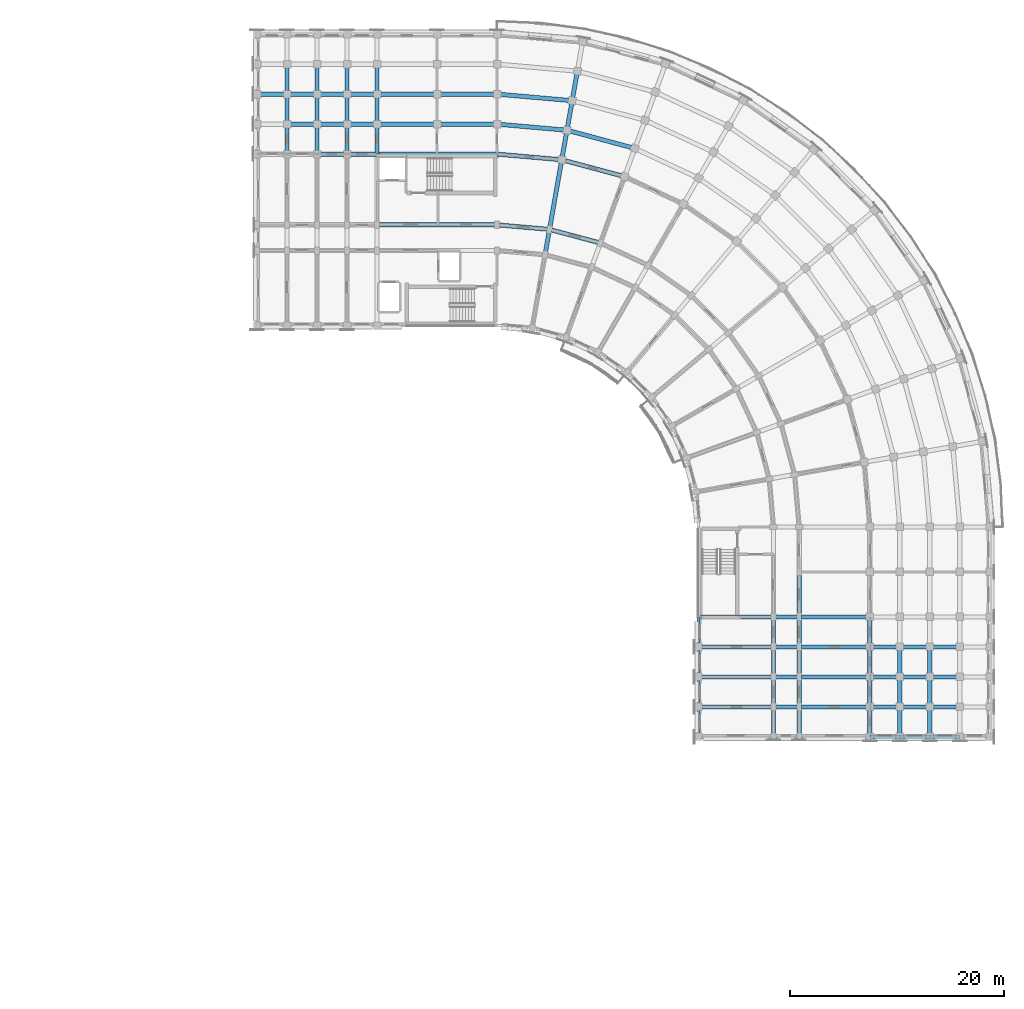
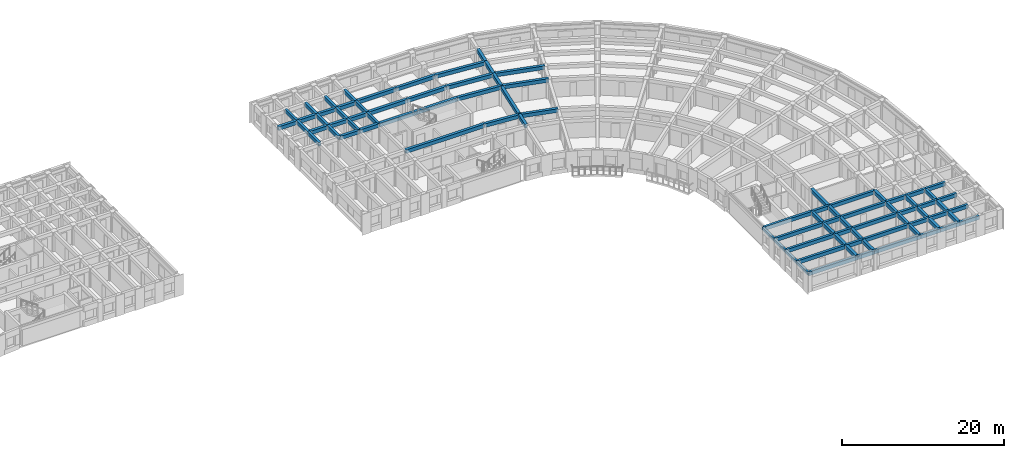
# One storey, part 11 of 57: 89 beams.
"""IFC4 building model written with IfcOpenShell, lengths in metres."""

from ifc_helpers import new_model, si_unit, direction, frame, origin, origin_2d, place, context, subcontext, project, spatial, rectangle, extrude, material, material_profile, profile_set, type_object, element, save


model = new_model("IFC4")

# Units and contexts
model_context = context("Model", 3, precision=1e-05, world=origin(), true_north=direction((0.0, 1.0)))
body_context = subcontext(model_context, "Body", "Model", "MODEL_VIEW")
ifc_project = project(units=[si_unit("LENGTHUNIT", "METRE"), si_unit("AREAUNIT", "SQUARE_METRE"), si_unit("VOLUMEUNIT", "CUBIC_METRE"), si_unit("PLANEANGLEUNIT", "RADIAN"), si_unit("MASSUNIT", "GRAM", prefix="KILO")], contexts=[model_context])

# Site, building, storey
site_placement = place(None, origin())
site = spatial("IfcSite", under=ifc_project, at=site_placement, CompositionType="ELEMENT")
building_placement = place(site_placement, origin())
building = spatial("IfcBuilding", under=site, at=building_placement, Name="Kiranvali Square Residences", CompositionType="ELEMENT")
storey_placement = place(building_placement, frame((0.0, 0.0, 18.14990234375)))
storey = spatial("IfcBuildingStorey", under=building, at=storey_placement, Name="L05", CompositionType="ELEMENT", Elevation=18.14990234375)

# Beams
ifc_material_1 = material(Name="Concrete M40 (40 MPa)", Category="concrete")
ifc_material_profile_1 = material_profile(ifc_material_1, rectangle(XDim=0.35009765625, YDim=0.550048828125, at=origin_2d()), Name="RC 350x550")
ifc_profile_set_1 = profile_set([ifc_material_profile_1], Name="Concrete M40 (40 MPa)")
beam_type_1 = type_object("IfcBeamType", Name="BM-M40-350x550", PredefinedType="BEAM", material=ifc_profile_set_1)
beam_1_placement = place(storey_placement, frame((108.60009765625, 122.60009765625, 2.655029296875), z_axis=(0.0, 1.0, 0.0), x_axis=(-1.0, 0.0, 0.0)))
element("IfcBeam", 1, at=beam_1_placement, inside=storey, type_object=beam_type_1, Name="L05 beam BM-B-L05-A1T1-34", PredefinedType="BEAM", context=body_context, shape_type="SweptSolid", body=[
    extrude(rectangle(XDim=0.35009765625, YDim=0.550048828125, at=origin_2d()), origin(), (0.0, 0.0, 1.0), 2.7998046875),
])
for number, where, z_axis, x_axis, name in (
    (2, (108.60009765625, 125.39990234375, 2.655029296875), (0.0, 1.0, 0.0), (-1.0, 0.0, 0.0), "L05 beam BM-B-L05-A1T1-45"),
    (3, (108.60009765625, 128.199951171875, 2.655029296875), (0.0, 1.0, 0.0), (-1.0, 0.0, 0.0), "L05 beam BM-B-L05-A1T1-56"),
):
    element("IfcBeam", number, at=place(storey_placement, frame(where, z_axis=z_axis, x_axis=x_axis)), inside=storey, type_object=beam_type_1, Name=name, PredefinedType="BEAM", context=body_context, shape_type="SweptSolid", body=[
        extrude(rectangle(XDim=0.35009765625, YDim=0.550048828125, at=origin_2d()), origin(), (0.0, 0.0, 1.0), 2.800048828125),
    ])
beam_2_placement = place(storey_placement, frame((105.800048828125, 122.60009765625, 2.655029296875), z_axis=(0.0, 1.0, 0.0), x_axis=(-1.0, 0.0, 0.0)))
element("IfcBeam", 4, at=beam_2_placement, inside=storey, type_object=beam_type_1, Name="L05 beam BM-B-L05-A1T2-34", PredefinedType="BEAM", context=body_context, shape_type="SweptSolid", body=[
    extrude(rectangle(XDim=0.35009765625, YDim=0.550048828125, at=origin_2d()), origin(), (0.0, 0.0, 1.0), 2.7998046875),
])
for number, where, z_axis, x_axis, name in (
    (5, (105.800048828125, 125.39990234375, 2.655029296875), (0.0, 1.0, 0.0), (-1.0, 0.0, 0.0), "L05 beam BM-B-L05-A1T2-45"),
    (6, (105.800048828125, 128.199951171875, 2.655029296875), (0.0, 1.0, 0.0), (-1.0, 0.0, 0.0), "L05 beam BM-B-L05-A1T2-56"),
):
    element("IfcBeam", number, at=place(storey_placement, frame(where, z_axis=z_axis, x_axis=x_axis)), inside=storey, type_object=beam_type_1, Name=name, PredefinedType="BEAM", context=body_context, shape_type="SweptSolid", body=[
        extrude(rectangle(XDim=0.35009765625, YDim=0.550048828125, at=origin_2d()), origin(), (0.0, 0.0, 1.0), 2.800048828125),
    ])
beam_3_placement = place(storey_placement, frame((103.0, 122.60009765625, 2.655029296875), z_axis=(0.0, 1.0, 0.0), x_axis=(-1.0, 0.0, 0.0)))
element("IfcBeam", 7, at=beam_3_placement, inside=storey, type_object=beam_type_1, Name="L05 beam BM-B-L05-A1T3-34", PredefinedType="BEAM", context=body_context, shape_type="SweptSolid", body=[
    extrude(rectangle(XDim=0.35009765625, YDim=0.550048828125, at=origin_2d()), origin(), (0.0, 0.0, 1.0), 2.7998046875),
])
for number, where, z_axis, x_axis, name in (
    (8, (103.0, 125.39990234375, 2.655029296875), (0.0, 1.0, 0.0), (-1.0, 0.0, 0.0), "L05 beam BM-B-L05-A1T3-45"),
    (9, (103.0, 128.199951171875, 2.655029296875), (0.0, 1.0, 0.0), (-1.0, 0.0, 0.0), "L05 beam BM-B-L05-A1T3-56"),
):
    element("IfcBeam", number, at=place(storey_placement, frame(where, z_axis=z_axis, x_axis=x_axis)), inside=storey, type_object=beam_type_1, Name=name, PredefinedType="BEAM", context=body_context, shape_type="SweptSolid", body=[
        extrude(rectangle(XDim=0.35009765625, YDim=0.550048828125, at=origin_2d()), origin(), (0.0, 0.0, 1.0), 2.800048828125),
    ])
beam_4_placement = place(storey_placement, frame((100.199951171875, 122.60009765625, 2.655029296875), z_axis=(0.0, 1.0, 0.0), x_axis=(-1.0, 0.0, 0.0)))
element("IfcBeam", 10, at=beam_4_placement, inside=storey, type_object=beam_type_1, Name="L05 beam BM-B-L05-A1T4-34", PredefinedType="BEAM", context=body_context, shape_type="SweptSolid", body=[
    extrude(rectangle(XDim=0.35009765625, YDim=0.550048828125, at=origin_2d()), origin(), (0.0, 0.0, 1.0), 2.7998046875),
])
for number, where, z_axis, x_axis, name in (
    (11, (100.199951171875, 125.39990234375, 2.655029296875), (0.0, 1.0, 0.0), (-1.0, 0.0, 0.0), "L05 beam BM-B-L05-A1T4-45"),
    (12, (100.199951171875, 128.199951171875, 2.655029296875), (0.0, 1.0, 0.0), (-1.0, 0.0, 0.0), "L05 beam BM-B-L05-A1T4-56"),
):
    element("IfcBeam", number, at=place(storey_placement, frame(where, z_axis=z_axis, x_axis=x_axis)), inside=storey, type_object=beam_type_1, Name=name, PredefinedType="BEAM", context=body_context, shape_type="SweptSolid", body=[
        extrude(rectangle(XDim=0.35009765625, YDim=0.550048828125, at=origin_2d()), origin(), (0.0, 0.0, 1.0), 2.800048828125),
    ])
beam_5_placement = place(storey_placement, frame((138.60009765625, 79.39990234375, 2.655029296875), z_axis=(1.0, 0.0, 0.0), x_axis=(0.0, 1.0, 0.0)))
element("IfcBeam", 13, at=beam_5_placement, inside=storey, type_object=beam_type_1, Name="L05 beam BM-B-L05-A2T1-01", PredefinedType="BEAM", context=body_context, shape_type="SweptSolid", body=[
    extrude(rectangle(XDim=0.35009765625, YDim=0.550048828125, at=origin_2d()), origin(), (0.0, 0.0, 1.0), 7.0),
])
beam_6_placement = place(storey_placement, frame((145.60009765625, 79.39990234375, 2.655029296875), z_axis=(1.0, 0.0, 0.0), x_axis=(0.0, 1.0, 0.0)))
element("IfcBeam", 14, at=beam_6_placement, inside=storey, type_object=beam_type_1, Name="L05 beam BM-B-L05-A2T1-12", PredefinedType="BEAM", context=body_context, shape_type="SweptSolid", body=[
    extrude(rectangle(XDim=0.35009765625, YDim=0.550048828125, at=origin_2d()), origin(), (0.0, 0.0, 1.0), 2.39990234375),
])
beam_7_placement = place(storey_placement, frame((148.0, 79.39990234375, 2.655029296875), z_axis=(1.0, 0.0, 0.0), x_axis=(0.0, 1.0, 0.0)))
element("IfcBeam", 15, at=beam_7_placement, inside=storey, type_object=beam_type_1, Name="L05 beam BM-B-L05-A2T1-23", PredefinedType="BEAM", context=body_context, shape_type="SweptSolid", body=[
    extrude(rectangle(XDim=0.35009765625, YDim=0.550048828125, at=origin_2d()), origin(), (0.0, 0.0, 1.0), 6.60009765625),
])
beam_8_placement = place(storey_placement, frame((138.60009765625, 76.60009765625, 2.655029296875), z_axis=(1.0, 0.0, 0.0), x_axis=(0.0, 1.0, 0.0)))
element("IfcBeam", 16, at=beam_8_placement, inside=storey, type_object=beam_type_1, Name="L05 beam BM-B-L05-A2T2-01", PredefinedType="BEAM", context=body_context, shape_type="SweptSolid", body=[
    extrude(rectangle(XDim=0.35009765625, YDim=0.550048828125, at=origin_2d()), origin(), (0.0, 0.0, 1.0), 7.0),
])
beam_9_placement = place(storey_placement, frame((145.60009765625, 76.60009765625, 2.655029296875), z_axis=(1.0, 0.0, 0.0), x_axis=(0.0, 1.0, 0.0)))
element("IfcBeam", 17, at=beam_9_placement, inside=storey, type_object=beam_type_1, Name="L05 beam BM-B-L05-A2T2-12", PredefinedType="BEAM", context=body_context, shape_type="SweptSolid", body=[
    extrude(rectangle(XDim=0.35009765625, YDim=0.550048828125, at=origin_2d()), origin(), (0.0, 0.0, 1.0), 2.39990234375),
])
beam_10_placement = place(storey_placement, frame((148.0, 76.60009765625, 2.655029296875), z_axis=(1.0, 0.0, 0.0), x_axis=(0.0, 1.0, 0.0)))
element("IfcBeam", 18, at=beam_10_placement, inside=storey, type_object=beam_type_1, Name="L05 beam BM-B-L05-A2T2-23", PredefinedType="BEAM", context=body_context, shape_type="SweptSolid", body=[
    extrude(rectangle(XDim=0.35009765625, YDim=0.550048828125, at=origin_2d()), origin(), (0.0, 0.0, 1.0), 6.60009765625),
])
beam_11_placement = place(storey_placement, frame((154.60009765625, 76.60009765625, 2.655029296875), z_axis=(1.0, 0.0, 0.0), x_axis=(0.0, 1.0, 0.0)))
element("IfcBeam", 19, at=beam_11_placement, inside=storey, type_object=beam_type_1, Name="L05 beam BM-B-L05-A2T2-34", PredefinedType="BEAM", context=body_context, shape_type="SweptSolid", body=[
    extrude(rectangle(XDim=0.35009765625, YDim=0.550048828125, at=origin_2d()), origin(), (0.0, 0.0, 1.0), 2.7998046875),
])
for number, where, z_axis, x_axis, name in (
    (20, (157.39990234375, 76.60009765625, 2.655029296875), (1.0, 0.0, 0.0), (0.0, 1.0, 0.0), "L05 beam BM-B-L05-A2T2-45"),
    (21, (160.199951171875, 76.60009765625, 2.655029296875), (1.0, 0.0, 0.0), (0.0, 1.0, 0.0), "L05 beam BM-B-L05-A2T2-56"),
):
    element("IfcBeam", number, at=place(storey_placement, frame(where, z_axis=z_axis, x_axis=x_axis)), inside=storey, type_object=beam_type_1, Name=name, PredefinedType="BEAM", context=body_context, shape_type="SweptSolid", body=[
        extrude(rectangle(XDim=0.35009765625, YDim=0.550048828125, at=origin_2d()), origin(), (0.0, 0.0, 1.0), 2.800048828125),
    ])
beam_12_placement = place(storey_placement, frame((138.60009765625, 73.800048828125, 2.655029296875), z_axis=(1.0, 0.0, 0.0), x_axis=(0.0, 1.0, 0.0)))
element("IfcBeam", 22, at=beam_12_placement, inside=storey, type_object=beam_type_1, Name="L05 beam BM-B-L05-A2T3-01", PredefinedType="BEAM", context=body_context, shape_type="SweptSolid", body=[
    extrude(rectangle(XDim=0.35009765625, YDim=0.550048828125, at=origin_2d()), origin(), (0.0, 0.0, 1.0), 7.0),
])
beam_13_placement = place(storey_placement, frame((145.60009765625, 73.800048828125, 2.655029296875), z_axis=(1.0, 0.0, 0.0), x_axis=(0.0, 1.0, 0.0)))
element("IfcBeam", 23, at=beam_13_placement, inside=storey, type_object=beam_type_1, Name="L05 beam BM-B-L05-A2T3-12", PredefinedType="BEAM", context=body_context, shape_type="SweptSolid", body=[
    extrude(rectangle(XDim=0.35009765625, YDim=0.550048828125, at=origin_2d()), origin(), (0.0, 0.0, 1.0), 2.39990234375),
])
beam_14_placement = place(storey_placement, frame((148.0, 73.800048828125, 2.655029296875), z_axis=(1.0, 0.0, 0.0), x_axis=(0.0, 1.0, 0.0)))
element("IfcBeam", 24, at=beam_14_placement, inside=storey, type_object=beam_type_1, Name="L05 beam BM-B-L05-A2T3-23", PredefinedType="BEAM", context=body_context, shape_type="SweptSolid", body=[
    extrude(rectangle(XDim=0.35009765625, YDim=0.550048828125, at=origin_2d()), origin(), (0.0, 0.0, 1.0), 6.60009765625),
])
beam_15_placement = place(storey_placement, frame((154.60009765625, 73.800048828125, 2.655029296875), z_axis=(1.0, 0.0, 0.0), x_axis=(0.0, 1.0, 0.0)))
element("IfcBeam", 25, at=beam_15_placement, inside=storey, type_object=beam_type_1, Name="L05 beam BM-B-L05-A2T3-34", PredefinedType="BEAM", context=body_context, shape_type="SweptSolid", body=[
    extrude(rectangle(XDim=0.35009765625, YDim=0.550048828125, at=origin_2d()), origin(), (0.0, 0.0, 1.0), 2.7998046875),
])
for number, where, z_axis, x_axis, name in (
    (26, (157.39990234375, 73.800048828125, 2.655029296875), (1.0, 0.0, 0.0), (0.0, 1.0, 0.0), "L05 beam BM-B-L05-A2T3-45"),
    (27, (160.199951171875, 73.800048828125, 2.655029296875), (1.0, 0.0, 0.0), (0.0, 1.0, 0.0), "L05 beam BM-B-L05-A2T3-56"),
):
    element("IfcBeam", number, at=place(storey_placement, frame(where, z_axis=z_axis, x_axis=x_axis)), inside=storey, type_object=beam_type_1, Name=name, PredefinedType="BEAM", context=body_context, shape_type="SweptSolid", body=[
        extrude(rectangle(XDim=0.35009765625, YDim=0.550048828125, at=origin_2d()), origin(), (0.0, 0.0, 1.0), 2.800048828125),
    ])
beam_16_placement = place(storey_placement, frame((138.60009765625, 71.0, 2.655029296875), z_axis=(1.0, 0.0, 0.0), x_axis=(0.0, 1.0, 0.0)))
element("IfcBeam", 28, at=beam_16_placement, inside=storey, type_object=beam_type_1, Name="L05 beam BM-B-L05-A2T4-01", PredefinedType="BEAM", context=body_context, shape_type="SweptSolid", body=[
    extrude(rectangle(XDim=0.35009765625, YDim=0.550048828125, at=origin_2d()), origin(), (0.0, 0.0, 1.0), 7.0),
])
beam_17_placement = place(storey_placement, frame((145.60009765625, 71.0, 2.655029296875), z_axis=(1.0, 0.0, 0.0), x_axis=(0.0, 1.0, 0.0)))
element("IfcBeam", 29, at=beam_17_placement, inside=storey, type_object=beam_type_1, Name="L05 beam BM-B-L05-A2T4-12", PredefinedType="BEAM", context=body_context, shape_type="SweptSolid", body=[
    extrude(rectangle(XDim=0.35009765625, YDim=0.550048828125, at=origin_2d()), origin(), (0.0, 0.0, 1.0), 2.39990234375),
])
beam_18_placement = place(storey_placement, frame((148.0, 71.0, 2.655029296875), z_axis=(1.0, 0.0, 0.0), x_axis=(0.0, 1.0, 0.0)))
element("IfcBeam", 30, at=beam_18_placement, inside=storey, type_object=beam_type_1, Name="L05 beam BM-B-L05-A2T4-23", PredefinedType="BEAM", context=body_context, shape_type="SweptSolid", body=[
    extrude(rectangle(XDim=0.35009765625, YDim=0.550048828125, at=origin_2d()), origin(), (0.0, 0.0, 1.0), 6.60009765625),
])
beam_19_placement = place(storey_placement, frame((154.60009765625, 71.0, 2.655029296875), z_axis=(1.0, 0.0, 0.0), x_axis=(0.0, 1.0, 0.0)))
element("IfcBeam", 31, at=beam_19_placement, inside=storey, type_object=beam_type_1, Name="L05 beam BM-B-L05-A2T4-34", PredefinedType="BEAM", context=body_context, shape_type="SweptSolid", body=[
    extrude(rectangle(XDim=0.35009765625, YDim=0.550048828125, at=origin_2d()), origin(), (0.0, 0.0, 1.0), 2.7998046875),
])
for number, where, z_axis, x_axis, name in (
    (32, (157.39990234375, 71.0, 2.655029296875), (1.0, 0.0, 0.0), (0.0, 1.0, 0.0), "L05 beam BM-B-L05-A2T4-45"),
    (33, (160.199951171875, 71.0, 2.655029296875), (1.0, 0.0, 0.0), (0.0, 1.0, 0.0), "L05 beam BM-B-L05-A2T4-56"),
):
    element("IfcBeam", number, at=place(storey_placement, frame(where, z_axis=z_axis, x_axis=x_axis)), inside=storey, type_object=beam_type_1, Name=name, PredefinedType="BEAM", context=body_context, shape_type="SweptSolid", body=[
        extrude(rectangle(XDim=0.35009765625, YDim=0.550048828125, at=origin_2d()), origin(), (0.0, 0.0, 1.0), 2.800048828125),
    ])
beam_20_placement = place(storey_placement, frame((138.60009765625, 68.199951171875, 2.655029296875), z_axis=(1.0, 0.0, 0.0), x_axis=(0.0, 1.0, 0.0)))
element("IfcBeam", 34, at=beam_20_placement, inside=storey, type_object=beam_type_1, Name="L05 beam BM-B-L05-A2T5-01", PredefinedType="BEAM", context=body_context, shape_type="SweptSolid", body=[
    extrude(rectangle(XDim=0.35009765625, YDim=0.550048828125, at=origin_2d()), origin(), (0.0, 0.0, 1.0), 7.0),
])
beam_21_placement = place(storey_placement, frame((145.60009765625, 68.199951171875, 2.655029296875), z_axis=(1.0, 0.0, 0.0), x_axis=(0.0, 1.0, 0.0)))
element("IfcBeam", 35, at=beam_21_placement, inside=storey, type_object=beam_type_1, Name="L05 beam BM-B-L05-A2T5-12", PredefinedType="BEAM", context=body_context, shape_type="SweptSolid", body=[
    extrude(rectangle(XDim=0.35009765625, YDim=0.550048828125, at=origin_2d()), origin(), (0.0, 0.0, 1.0), 2.39990234375),
])
beam_22_placement = place(storey_placement, frame((148.0, 68.199951171875, 2.655029296875), z_axis=(1.0, 0.0, 0.0), x_axis=(0.0, 1.0, 0.0)))
element("IfcBeam", 36, at=beam_22_placement, inside=storey, type_object=beam_type_1, Name="L05 beam BM-B-L05-A2T5-23", PredefinedType="BEAM", context=body_context, shape_type="SweptSolid", body=[
    extrude(rectangle(XDim=0.35009765625, YDim=0.550048828125, at=origin_2d()), origin(), (0.0, 0.0, 1.0), 6.60009765625),
])
beam_23_placement = place(storey_placement, frame((154.60009765625, 68.199951171875, 2.655029296875), z_axis=(1.0, 0.0, 0.0), x_axis=(0.0, 1.0, 0.0)))
element("IfcBeam", 37, at=beam_23_placement, inside=storey, type_object=beam_type_1, Name="L05 beam BM-B-L05-A2T5-34", PredefinedType="BEAM", context=body_context, shape_type="SweptSolid", body=[
    extrude(rectangle(XDim=0.35009765625, YDim=0.550048828125, at=origin_2d()), origin(), (0.0, 0.0, 1.0), 2.7998046875),
])
for number, where, z_axis, x_axis, name in (
    (38, (157.39990234375, 68.199951171875, 2.655029296875), (1.0, 0.0, 0.0), (0.0, 1.0, 0.0), "L05 beam BM-B-L05-A2T5-45"),
    (39, (160.199951171875, 68.199951171875, 2.655029296875), (1.0, 0.0, 0.0), (0.0, 1.0, 0.0), "L05 beam BM-B-L05-A2T5-56"),
):
    element("IfcBeam", number, at=place(storey_placement, frame(where, z_axis=z_axis, x_axis=x_axis)), inside=storey, type_object=beam_type_1, Name=name, PredefinedType="BEAM", context=body_context, shape_type="SweptSolid", body=[
        extrude(rectangle(XDim=0.35009765625, YDim=0.550048828125, at=origin_2d()), origin(), (0.0, 0.0, 1.0), 2.800048828125),
    ])
ifc_material_2 = material(Name="Concrete M45 (45 MPa)", Category="concrete")
ifc_material_profile_2 = material_profile(ifc_material_2, rectangle(XDim=0.39990234375, YDim=0.550048828125, at=origin_2d()), Name="RC 400x550")
ifc_profile_set_2 = profile_set([ifc_material_profile_2], Name="Concrete M45 (45 MPa)")
beam_type_2 = type_object("IfcBeamType", Name="BM-M45-400x550", PredefinedType="BEAM", material=ifc_profile_set_2)
beam_24_placement = place(storey_placement, frame((119.800048828125, 116.0, 2.655029296875), z_axis=(0.996193663584, -0.087167566415, 0.0), x_axis=(0.087167566415, 0.996193663584, 0.0)))
element("IfcBeam", 40, at=beam_24_placement, inside=storey, type_object=beam_type_2, Name="L05 beam BM-B-L05-C00-R2", PredefinedType="BEAM", context=body_context, shape_type="SweptSolid", body=[
    extrude(rectangle(XDim=0.39990234375, YDim=0.550048828125, at=origin_2d()), origin(), (0.0, 0.0, 1.0), 4.91552734375),
])
beam_25_placement = place(storey_placement, frame((119.800048828125, 122.60009765625, 2.655029296875), z_axis=(0.996193018494, -0.087174938512, 0.0), x_axis=(0.087174938512, 0.996193018494, 0.0)))
element("IfcBeam", 41, at=beam_25_placement, inside=storey, type_object=beam_type_2, Name="L05 beam BM-B-L05-C00-R3", PredefinedType="BEAM", context=body_context, shape_type="SweptSolid", body=[
    extrude(rectangle(XDim=0.39990234375, YDim=0.550048828125, at=origin_2d()), origin(), (0.0, 0.0, 1.0), 6.066162109375),
])
beam_26_placement = place(storey_placement, frame((119.800048828125, 125.39990234375, 2.655029296875), z_axis=(0.996196991902, -0.0871295204, 0.0), x_axis=(0.0871295204, 0.996196991902, 0.0)))
element("IfcBeam", 42, at=beam_26_placement, inside=storey, type_object=beam_type_2, Name="L05 beam BM-B-L05-C00-R4", PredefinedType="BEAM", context=body_context, shape_type="SweptSolid", body=[
    extrude(rectangle(XDim=0.39990234375, YDim=0.550048828125, at=origin_2d()), origin(), (0.0, 0.0, 1.0), 6.553955078125),
])
beam_27_placement = place(storey_placement, frame((119.800048828125, 128.199951171875, 2.655029296875), z_axis=(0.996194658198, -0.087156198737, 0.0), x_axis=(0.087156198737, 0.996194658198, 0.0)))
element("IfcBeam", 43, at=beam_27_placement, inside=storey, type_object=beam_type_2, Name="L05 beam BM-B-L05-C00-R5", PredefinedType="BEAM", context=body_context, shape_type="SweptSolid", body=[
    extrude(rectangle(XDim=0.39990234375, YDim=0.550048828125, at=origin_2d()), origin(), (0.0, 0.0, 1.0), 7.042236328125),
])
beam_28_placement = place(storey_placement, frame((124.69677734375, 115.571533203125, 2.655029296875), z_axis=(0.965930095386, -0.258803112091, 0.0), x_axis=(0.258803112091, 0.965930095386, 0.0)))
element("IfcBeam", 44, at=beam_28_placement, inside=storey, type_object=beam_type_2, Name="L05 beam BM-B-L05-C01-R2", PredefinedType="BEAM", context=body_context, shape_type="SweptSolid", body=[
    extrude(rectangle(XDim=0.39990234375, YDim=0.550048828125, at=origin_2d()), origin(), (0.0, 0.0, 1.0), 4.915771484375),
])
beam_29_placement = place(storey_placement, frame((125.843017578125, 122.0712890625, 2.655029296875), z_axis=(0.965923618901, -0.258827283048, 0.0), x_axis=(0.258827283048, 0.965923618901, 0.0)))
element("IfcBeam", 45, at=beam_29_placement, inside=storey, type_object=beam_type_2, Name="L05 beam BM-B-L05-C01-R3", PredefinedType="BEAM", context=body_context, shape_type="SweptSolid", body=[
    extrude(rectangle(XDim=0.39990234375, YDim=0.550048828125, at=origin_2d()), origin(), (0.0, 0.0, 1.0), 6.066162109375),
])
beam_30_placement = place(storey_placement, frame((126.3291015625, 124.828857421875, 2.655029296875), z_axis=(0.965918287583, -0.258847178297, 0.0), x_axis=(0.258847178297, 0.965918287583, 0.0)))
element("IfcBeam", 46, at=beam_30_placement, inside=storey, type_object=beam_type_2, Name="L05 beam BM-B-L05-C01-R4", PredefinedType="BEAM", context=body_context, shape_type="SweptSolid", body=[
    extrude(rectangle(XDim=0.39990234375, YDim=0.550048828125, at=origin_2d()), origin(), (0.0, 0.0, 1.0), 6.55419921875),
])
beam_31_placement = place(storey_placement, frame((124.280029296875, 113.2080078125, 2.655029296875), z_axis=(0.173646056486, 0.984808127031, 0.0), x_axis=(-0.984808127031, 0.173646056486, 0.0)))
element("IfcBeam", 47, at=beam_31_placement, inside=storey, type_object=beam_type_2, Name="L05 beam BM-B-L05-RAD01-12", PredefinedType="BEAM", context=body_context, shape_type="SweptSolid", body=[
    extrude(rectangle(XDim=0.39990234375, YDim=0.550048828125, at=origin_2d()), origin(), (0.0, 0.0, 1.0), 2.39990234375),
])
beam_32_placement = place(storey_placement, frame((124.69677734375, 115.571533203125, 2.655029296875), z_axis=(0.173671381499, 0.984803661269, 0.0), x_axis=(-0.984803661269, 0.173671381499, 0.0)))
element("IfcBeam", 48, at=beam_32_placement, inside=storey, type_object=beam_type_2, Name="L05 beam BM-B-L05-RAD01-23", PredefinedType="BEAM", context=body_context, shape_type="SweptSolid", body=[
    extrude(rectangle(XDim=0.39990234375, YDim=0.550048828125, at=origin_2d()), origin(), (0.0, 0.0, 1.0), 6.60009765625),
])
beam_33_placement = place(storey_placement, frame((125.843017578125, 122.0712890625, 2.655029296875), z_axis=(0.173596320392, 0.984816895441, 0.0), x_axis=(-0.984816895441, 0.173596320392, 0.0)))
element("IfcBeam", 49, at=beam_33_placement, inside=storey, type_object=beam_type_2, Name="L05 beam BM-B-L05-RAD01-34", PredefinedType="BEAM", context=body_context, shape_type="SweptSolid", body=[
    extrude(rectangle(XDim=0.39990234375, YDim=0.550048828125, at=origin_2d()), origin(), (0.0, 0.0, 1.0), 2.800048828125),
])
beam_34_placement = place(storey_placement, frame((126.3291015625, 124.828857421875, 2.655029296875), z_axis=(0.173695795656, 0.984799355489, 0.0), x_axis=(-0.984799355489, 0.173695795656, 0.0)))
element("IfcBeam", 50, at=beam_34_placement, inside=storey, type_object=beam_type_2, Name="L05 beam BM-B-L05-RAD01-45", PredefinedType="BEAM", context=body_context, shape_type="SweptSolid", body=[
    extrude(rectangle(XDim=0.39990234375, YDim=0.550048828125, at=origin_2d()), origin(), (0.0, 0.0, 1.0), 2.7998046875),
])
beam_35_placement = place(storey_placement, frame((126.8154296875, 127.586181640625, 2.655029296875), z_axis=(0.173596320392, 0.984816895441, 0.0), x_axis=(-0.984816895441, 0.173596320392, 0.0)))
element("IfcBeam", 51, at=beam_35_placement, inside=storey, type_object=beam_type_2, Name="L05 beam BM-B-L05-RAD01-56", PredefinedType="BEAM", context=body_context, shape_type="SweptSolid", body=[
    extrude(rectangle(XDim=0.39990234375, YDim=0.550048828125, at=origin_2d()), origin(), (0.0, 0.0, 1.0), 2.800048828125),
])
for number, where, z_axis, x_axis, name in (
    (52, (119.800048828125, 116.0, 2.655029296875), (-1.0, 0.0, 0.0), (0.0, -1.0, 0.0), "L05 beam BM-B-L05-A1U0-R2"),
    (53, (119.800048828125, 122.60009765625, 2.655029296875), (-1.0, 0.0, 0.0), (0.0, -1.0, 0.0), "L05 beam BM-B-L05-A1U0-R3"),
):
    element("IfcBeam", number, at=place(storey_placement, frame(where, z_axis=z_axis, x_axis=x_axis)), inside=storey, type_object=beam_type_2, Name=name, PredefinedType="BEAM", context=body_context, shape_type="SweptSolid", body=[
        extrude(rectangle(XDim=0.39990234375, YDim=0.550048828125, at=origin_2d()), origin(), (0.0, 0.0, 1.0), 11.199951171875),
    ])
for number, where, z_axis, x_axis, name in (
    (54, (108.60009765625, 122.60009765625, 2.655029296875), (-1.0, 0.0, 0.0), (0.0, -1.0, 0.0), "L05 beam BM-B-L05-A1U1-R3"),
    (55, (105.800048828125, 122.60009765625, 2.655029296875), (-1.0, 0.0, 0.0), (0.0, -1.0, 0.0), "L05 beam BM-B-L05-A1U2-R3"),
):
    element("IfcBeam", number, at=place(storey_placement, frame(where, z_axis=z_axis, x_axis=x_axis)), inside=storey, type_object=beam_type_2, Name=name, PredefinedType="BEAM", context=body_context, shape_type="SweptSolid", body=[
        extrude(rectangle(XDim=0.39990234375, YDim=0.550048828125, at=origin_2d()), origin(), (0.0, 0.0, 1.0), 2.800048828125),
    ])
beam_36_placement = place(storey_placement, frame((119.800048828125, 125.39990234375, 2.655029296875), z_axis=(-1.0, 0.0, 0.0), x_axis=(0.0, -1.0, 0.0)))
element("IfcBeam", 56, at=beam_36_placement, inside=storey, type_object=beam_type_2, Name="L05 beam BM-B-L05-A1U0-R4", PredefinedType="BEAM", context=body_context, shape_type="SweptSolid", body=[
    extrude(rectangle(XDim=0.39990234375, YDim=0.550048828125, at=origin_2d()), origin(), (0.0, 0.0, 1.0), 5.60009765625),
])
beam_37_placement = place(storey_placement, frame((114.199951171875, 125.39990234375, 2.655029296875), z_axis=(-1.0, 0.0, 0.0), x_axis=(0.0, -1.0, 0.0)))
element("IfcBeam", 57, at=beam_37_placement, inside=storey, type_object=beam_type_2, Name="L05 beam BM-B-L05-A1U1-R4", PredefinedType="BEAM", context=body_context, shape_type="SweptSolid", body=[
    extrude(rectangle(XDim=0.39990234375, YDim=0.550048828125, at=origin_2d()), origin(), (0.0, 0.0, 1.0), 5.599853515625),
])
for number, where, z_axis, x_axis, name in (
    (58, (108.60009765625, 125.39990234375, 2.655029296875), (-1.0, 0.0, 0.0), (0.0, -1.0, 0.0), "L05 beam BM-B-L05-A1U2-R4"),
    (59, (105.800048828125, 125.39990234375, 2.655029296875), (-1.0, 0.0, 0.0), (0.0, -1.0, 0.0), "L05 beam BM-B-L05-A1U3-R4"),
    (60, (103.0, 125.39990234375, 2.655029296875), (-1.0, 0.0, 0.0), (0.0, -1.0, 0.0), "L05 beam BM-B-L05-A1U4-R4"),
):
    element("IfcBeam", number, at=place(storey_placement, frame(where, z_axis=z_axis, x_axis=x_axis)), inside=storey, type_object=beam_type_2, Name=name, PredefinedType="BEAM", context=body_context, shape_type="SweptSolid", body=[
        extrude(rectangle(XDim=0.39990234375, YDim=0.550048828125, at=origin_2d()), origin(), (0.0, 0.0, 1.0), 2.800048828125),
    ])
beam_38_placement = place(storey_placement, frame((119.800048828125, 128.199951171875, 2.655029296875), z_axis=(-1.0, 0.0, 0.0), x_axis=(0.0, -1.0, 0.0)))
element("IfcBeam", 61, at=beam_38_placement, inside=storey, type_object=beam_type_2, Name="L05 beam BM-B-L05-A1U0-R5", PredefinedType="BEAM", context=body_context, shape_type="SweptSolid", body=[
    extrude(rectangle(XDim=0.39990234375, YDim=0.550048828125, at=origin_2d()), origin(), (0.0, 0.0, 1.0), 5.60009765625),
])
beam_39_placement = place(storey_placement, frame((114.199951171875, 128.199951171875, 2.655029296875), z_axis=(-1.0, 0.0, 0.0), x_axis=(0.0, -1.0, 0.0)))
element("IfcBeam", 62, at=beam_39_placement, inside=storey, type_object=beam_type_2, Name="L05 beam BM-B-L05-A1U1-R5", PredefinedType="BEAM", context=body_context, shape_type="SweptSolid", body=[
    extrude(rectangle(XDim=0.39990234375, YDim=0.550048828125, at=origin_2d()), origin(), (0.0, 0.0, 1.0), 5.599853515625),
])
for number, where, z_axis, x_axis, name in (
    (63, (108.60009765625, 128.199951171875, 2.655029296875), (-1.0, 0.0, 0.0), (0.0, -1.0, 0.0), "L05 beam BM-B-L05-A1U2-R5"),
    (64, (105.800048828125, 128.199951171875, 2.655029296875), (-1.0, 0.0, 0.0), (0.0, -1.0, 0.0), "L05 beam BM-B-L05-A1U3-R5"),
    (65, (103.0, 128.199951171875, 2.655029296875), (-1.0, 0.0, 0.0), (0.0, -1.0, 0.0), "L05 beam BM-B-L05-A1U4-R5"),
    (66, (100.199951171875, 128.199951171875, 2.655029296875), (-1.0, 0.0, 0.0), (0.0, -1.0, 0.0), "L05 beam BM-B-L05-A1U5-R5"),
):
    element("IfcBeam", number, at=place(storey_placement, frame(where, z_axis=z_axis, x_axis=x_axis)), inside=storey, type_object=beam_type_2, Name=name, PredefinedType="BEAM", context=body_context, shape_type="SweptSolid", body=[
        extrude(rectangle(XDim=0.39990234375, YDim=0.550048828125, at=origin_2d()), origin(), (0.0, 0.0, 1.0), 2.800048828125),
    ])
beam_40_placement = place(storey_placement, frame((145.60009765625, 79.39990234375, 2.655029296875), z_axis=(0.0, -1.0, 0.0), x_axis=(1.0, 0.0, 0.0)))
element("IfcBeam", 67, at=beam_40_placement, inside=storey, type_object=beam_type_2, Name="L05 beam BM-B-L05-A2V1-R1", PredefinedType="BEAM", context=body_context, shape_type="SweptSolid", body=[
    extrude(rectangle(XDim=0.39990234375, YDim=0.550048828125, at=origin_2d()), origin(), (0.0, 0.0, 1.0), 2.7998046875),
])
for number, where, z_axis, x_axis, name in (
    (68, (145.60009765625, 76.60009765625, 2.655029296875), (0.0, -1.0, 0.0), (1.0, 0.0, 0.0), "L05 beam BM-B-L05-A2V2-R1"),
    (69, (145.60009765625, 73.800048828125, 2.655029296875), (0.0, -1.0, 0.0), (1.0, 0.0, 0.0), "L05 beam BM-B-L05-A2V3-R1"),
    (70, (145.60009765625, 71.0, 2.655029296875), (0.0, -1.0, 0.0), (1.0, 0.0, 0.0), "L05 beam BM-B-L05-A2V4-R1"),
):
    element("IfcBeam", number, at=place(storey_placement, frame(where, z_axis=z_axis, x_axis=x_axis)), inside=storey, type_object=beam_type_2, Name=name, PredefinedType="BEAM", context=body_context, shape_type="SweptSolid", body=[
        extrude(rectangle(XDim=0.39990234375, YDim=0.550048828125, at=origin_2d()), origin(), (0.0, 0.0, 1.0), 2.800048828125),
    ])
beam_41_placement = place(storey_placement, frame((148.0, 83.60009765625, 2.655029296875), z_axis=(0.0, -1.0, 0.0), x_axis=(1.0, 0.0, 0.0)))
element("IfcBeam", 71, at=beam_41_placement, inside=storey, type_object=beam_type_2, Name="L05 beam BM-B-L05-A2V1-R2", PredefinedType="BEAM", context=body_context, shape_type="SweptSolid", body=[
    extrude(rectangle(XDim=0.39990234375, YDim=0.550048828125, at=origin_2d()), origin(), (0.0, 0.0, 1.0), 4.2001953125),
])
beam_42_placement = place(storey_placement, frame((148.0, 79.39990234375, 2.655029296875), z_axis=(0.0, -1.0, 0.0), x_axis=(1.0, 0.0, 0.0)))
element("IfcBeam", 72, at=beam_42_placement, inside=storey, type_object=beam_type_2, Name="L05 beam BM-B-L05-A2V2-R2", PredefinedType="BEAM", context=body_context, shape_type="SweptSolid", body=[
    extrude(rectangle(XDim=0.39990234375, YDim=0.550048828125, at=origin_2d()), origin(), (0.0, 0.0, 1.0), 2.7998046875),
])
for number, where, z_axis, x_axis, name in (
    (73, (148.0, 76.60009765625, 2.655029296875), (0.0, -1.0, 0.0), (1.0, 0.0, 0.0), "L05 beam BM-B-L05-A2V3-R2"),
    (74, (148.0, 73.800048828125, 2.655029296875), (0.0, -1.0, 0.0), (1.0, 0.0, 0.0), "L05 beam BM-B-L05-A2V4-R2"),
    (75, (148.0, 71.0, 2.655029296875), (0.0, -1.0, 0.0), (1.0, 0.0, 0.0), "L05 beam BM-B-L05-A2V5-R2"),
):
    element("IfcBeam", number, at=place(storey_placement, frame(where, z_axis=z_axis, x_axis=x_axis)), inside=storey, type_object=beam_type_2, Name=name, PredefinedType="BEAM", context=body_context, shape_type="SweptSolid", body=[
        extrude(rectangle(XDim=0.39990234375, YDim=0.550048828125, at=origin_2d()), origin(), (0.0, 0.0, 1.0), 2.800048828125),
    ])
beam_43_placement = place(storey_placement, frame((154.60009765625, 79.39990234375, 2.655029296875), z_axis=(0.0, -1.0, 0.0), x_axis=(1.0, 0.0, 0.0)))
element("IfcBeam", 76, at=beam_43_placement, inside=storey, type_object=beam_type_2, Name="L05 beam BM-B-L05-A2V2-R3", PredefinedType="BEAM", context=body_context, shape_type="SweptSolid", body=[
    extrude(rectangle(XDim=0.39990234375, YDim=0.550048828125, at=origin_2d()), origin(), (0.0, 0.0, 1.0), 2.7998046875),
])
for number, where, z_axis, x_axis, name in (
    (77, (154.60009765625, 76.60009765625, 2.655029296875), (0.0, -1.0, 0.0), (1.0, 0.0, 0.0), "L05 beam BM-B-L05-A2V3-R3"),
    (78, (154.60009765625, 73.800048828125, 2.655029296875), (0.0, -1.0, 0.0), (1.0, 0.0, 0.0), "L05 beam BM-B-L05-A2V4-R3"),
    (79, (154.60009765625, 71.0, 2.655029296875), (0.0, -1.0, 0.0), (1.0, 0.0, 0.0), "L05 beam BM-B-L05-A2V5-R3"),
    (80, (157.39990234375, 76.60009765625, 2.655029296875), (0.0, -1.0, 0.0), (1.0, 0.0, 0.0), "L05 beam BM-B-L05-A2V3-R4"),
    (81, (157.39990234375, 73.800048828125, 2.655029296875), (0.0, -1.0, 0.0), (1.0, 0.0, 0.0), "L05 beam BM-B-L05-A2V4-R4"),
    (82, (157.39990234375, 71.0, 2.655029296875), (0.0, -1.0, 0.0), (1.0, 0.0, 0.0), "L05 beam BM-B-L05-A2V5-R4"),
    (83, (160.199951171875, 76.60009765625, 2.655029296875), (0.0, -1.0, 0.0), (1.0, 0.0, 0.0), "L05 beam BM-B-L05-A2V3-R5"),
    (84, (160.199951171875, 73.800048828125, 2.655029296875), (0.0, -1.0, 0.0), (1.0, 0.0, 0.0), "L05 beam BM-B-L05-A2V4-R5"),
    (85, (160.199951171875, 71.0, 2.655029296875), (0.0, -1.0, 0.0), (1.0, 0.0, 0.0), "L05 beam BM-B-L05-A2V5-R5"),
):
    element("IfcBeam", number, at=place(storey_placement, frame(where, z_axis=z_axis, x_axis=x_axis)), inside=storey, type_object=beam_type_2, Name=name, PredefinedType="BEAM", context=body_context, shape_type="SweptSolid", body=[
        extrude(rectangle(XDim=0.39990234375, YDim=0.550048828125, at=origin_2d()), origin(), (0.0, 0.0, 1.0), 2.800048828125),
    ])
ifc_material_profile_3 = material_profile(ifc_material_1, rectangle(XDim=0.25, YDim=0.449951171875, at=origin_2d()), Name="RC 250x450")
ifc_profile_set_3 = profile_set([ifc_material_profile_3], Name="Concrete M40 (40 MPa)")
beam_type_3 = type_object("IfcBeamType", Name="SPN-M40-250x450", PredefinedType="SPANDREL", material=ifc_profile_set_3)
beam_44_placement = place(storey_placement, frame((138.60009765625, 79.39990234375, 2.705078125), z_axis=(0.0, -1.0, 0.0), x_axis=(1.0, 0.0, 0.0)))
element("IfcBeam", 86, at=beam_44_placement, inside=storey, type_object=beam_type_3, Name="L05 beam BM-B-L05-A2V1-R0", PredefinedType="SPANDREL", context=body_context, shape_type="SweptSolid", body=[
    extrude(rectangle(XDim=0.25, YDim=0.449951171875, at=origin_2d()), origin(), (0.0, 0.0, 1.0), 2.7998046875),
])
for number, where, z_axis, x_axis, name in (
    (87, (138.60009765625, 76.60009765625, 2.705078125), (0.0, -1.0, 0.0), (1.0, 0.0, 0.0), "L05 beam BM-B-L05-A2V2-R0"),
    (88, (138.60009765625, 73.800048828125, 2.705078125), (0.0, -1.0, 0.0), (1.0, 0.0, 0.0), "L05 beam BM-B-L05-A2V3-R0"),
    (89, (138.60009765625, 71.0, 2.705078125), (0.0, -1.0, 0.0), (1.0, 0.0, 0.0), "L05 beam BM-B-L05-A2V4-R0"),
):
    element("IfcBeam", number, at=place(storey_placement, frame(where, z_axis=z_axis, x_axis=x_axis)), inside=storey, type_object=beam_type_3, Name=name, PredefinedType="SPANDREL", context=body_context, shape_type="SweptSolid", body=[
        extrude(rectangle(XDim=0.25, YDim=0.449951171875, at=origin_2d()), origin(), (0.0, 0.0, 1.0), 2.800048828125),
    ])

save(model, "model.ifc")
